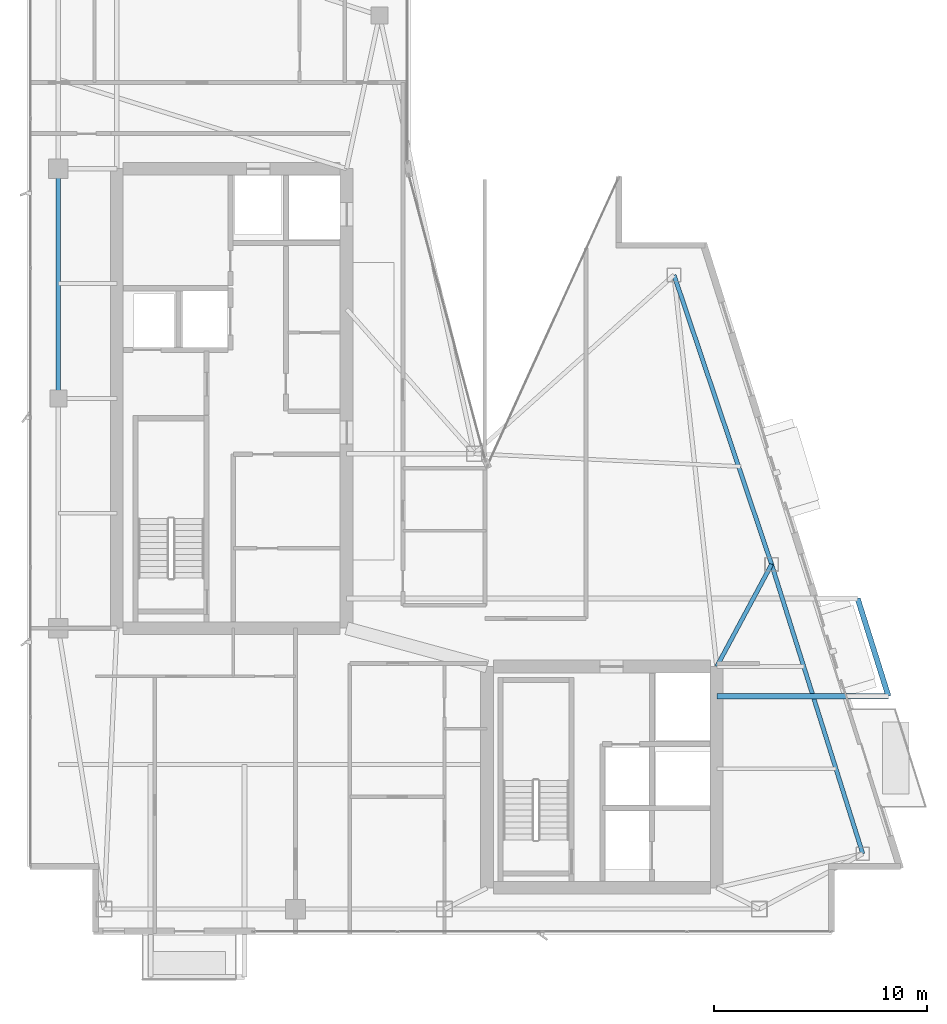
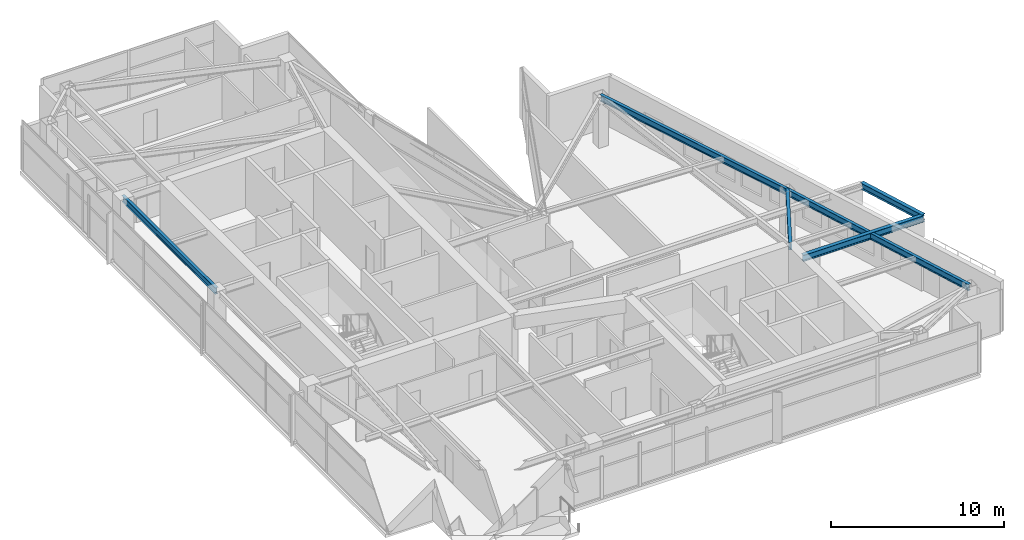
# One storey, part 15 of 27: 6 beams.
"""IFC4 building model written with IfcOpenShell, lengths in metres."""

from ifc_helpers import new_model, si_unit, direction, frame, origin, origin_2d, place, context, subcontext, project, spatial, i_section, extrude, material, material_profile, profile_set, type_object, element, save


model = new_model("IFC4")

# Units and contexts
model_context = context("Model", 3, precision=1e-05, world=origin(), true_north=direction((0.0, 1.0)))
body_context = subcontext(model_context, "Body", "Model", "MODEL_VIEW")
ifc_project = project(units=[si_unit("LENGTHUNIT", "METRE"), si_unit("AREAUNIT", "SQUARE_METRE"), si_unit("VOLUMEUNIT", "CUBIC_METRE"), si_unit("PLANEANGLEUNIT", "RADIAN"), si_unit("MASSUNIT", "GRAM", prefix="KILO")], contexts=[model_context])

# Site, building, storey
site_placement = place(None, origin())
site = spatial("IfcSite", under=ifc_project, at=site_placement, CompositionType="ELEMENT")
building_placement = place(site_placement, origin())
building = spatial("IfcBuilding", under=site, at=building_placement, Name="Calvorn Quay Hotel", CompositionType="ELEMENT")
storey_placement = place(building_placement, frame((0.0, 0.0, 291.10009765625)))
storey = spatial("IfcBuildingStorey", under=building, at=storey_placement, Name="L72", CompositionType="ELEMENT", Elevation=291.10009765625)

# Beams
ifc_material_1 = material(Name="Steel Q355B", Category="steel")
ifc_material_profile_1 = material_profile(ifc_material_1, i_section(OverallWidth=0.25, OverallDepth=0.449951171875, WebThickness=0.011962890625, FlangeThickness=0.01611328125, FilletRadius=0.01611328125, at=origin_2d()), Name="HN450x250x12x16")
ifc_profile_set_1 = profile_set([ifc_material_profile_1], Name="Steel Q355B")
beam_type_1 = type_object("IfcBeamType", Name="BM-CANT-BALC", PredefinedType="BEAM", material=ifc_profile_set_1)
beam_1_placement = place(storey_placement, frame((32.39990234375, 13.60009765625, 3.31494140625), z_axis=(1.0, 0.0, 0.0), x_axis=(0.0, 1.0, 0.0)))
element("IfcBeam", 1, at=beam_1_placement, inside=storey, type_object=beam_type_1, Name="Cantilever Balcony Beam BCB-L73-1A", PredefinedType="BEAM", context=body_context, shape_type="SweptSolid", body=[
    extrude(i_section(OverallWidth=0.25, OverallDepth=0.449951171875, WebThickness=0.011962890625, FlangeThickness=0.01611328125, FilletRadius=0.01611328125, at=origin_2d()), origin(), (0.0, 0.0, 1.0), 8.069091796875),
])
beam_2_placement = place(storey_placement, frame((40.468994140625, 13.60009765625, 3.31494140625), z_axis=(-0.300450487966, 0.953797412599, 0.0), x_axis=(-0.953797412599, -0.300450487966, 0.0)))
element("IfcBeam", 2, at=beam_2_placement, inside=storey, type_object=beam_type_1, Name="Beam BCBO-L73-1", PredefinedType="BEAM", context=body_context, shape_type="SweptSolid", body=[
    extrude(i_section(OverallWidth=0.25, OverallDepth=0.449951171875, WebThickness=0.011962890625, FlangeThickness=0.01611328125, FilletRadius=0.01611328125, at=origin_2d()), origin(), (0.0, 0.0, 1.0), 4.82275390625),
])
ifc_material_2 = material(Name="Steel Q355B", Category="steel")
ifc_material_profile_2 = material_profile(ifc_material_2, i_section(OverallWidth=0.199951171875, OverallDepth=0.550048828125, WebThickness=0.010009765625, FlangeThickness=0.01611328125, FilletRadius=0.01806640625, at=origin_2d()), Name="HN550x200x10x16")
ifc_profile_set_2 = profile_set([ifc_material_profile_2], Name="Steel Q355B")
beam_type_2 = type_object("IfcBeamType", Name="BM-GIRD-UPP", PredefinedType="BEAM", material=ifc_profile_set_2)
beam_3_placement = place(storey_placement, frame((32.39990234375, 15.0, 3.264892578125), z_axis=(0.472894086188, 0.881119278672, 0.0), x_axis=(-0.881119278672, 0.472894086188, 0.0)))
element("IfcBeam", 3, at=beam_3_placement, inside=storey, type_object=beam_type_2, Name="Beam BG-L72-E2", PredefinedType="BEAM", context=body_context, shape_type="SweptSolid", body=[
    extrude(i_section(OverallWidth=0.199951171875, OverallDepth=0.550048828125, WebThickness=0.010009765625, FlangeThickness=0.01611328125, FilletRadius=0.01806640625, at=origin_2d()), origin(), (0.0, 0.0, 1.0), 5.44775390625),
])
ifc_material_3 = material(Name="Steel Q355B", Category="steel")
ifc_material_profile_3 = material_profile(ifc_material_3, i_section(OverallWidth=0.199951171875, OverallDepth=0.449951171875, WebThickness=0.009033203125, FlangeThickness=0.013916015625, FilletRadius=0.01611328125, at=origin_2d()), Name="HN450x200x9x14")
ifc_profile_set_3 = profile_set([ifc_material_profile_3], Name="Steel Q355B")
beam_type_3 = type_object("IfcBeamType", Name="BM-SPANDREL-Z3", PredefinedType="SPANDREL", material=ifc_profile_set_3)
beam_4_placement = place(storey_placement, frame((1.449951171875, 27.60009765625, 3.31494140625), z_axis=(0.0, 1.0, 0.0), x_axis=(-1.0, 0.0, 0.0)))
element("IfcBeam", 4, at=beam_4_placement, inside=storey, type_object=beam_type_3, Name="Beam BSP-L72-W3", PredefinedType="SPANDREL", context=body_context, shape_type="SweptSolid", body=[
    extrude(i_section(OverallWidth=0.199951171875, OverallDepth=0.449951171875, WebThickness=0.009033203125, FlangeThickness=0.013916015625, FilletRadius=0.01611328125, at=origin_2d()), origin(), (0.0, 0.0, 1.0), 10.7998046875),
])
beam_5_placement = place(storey_placement, frame((39.260986328125, 6.199951171875, 3.31494140625), z_axis=(-0.300502802767, 0.953780931624, 0.0), x_axis=(-0.953780931624, -0.300502802767, 0.0)))
element("IfcBeam", 5, at=beam_5_placement, inside=storey, type_object=beam_type_3, Name="Beam BSP-L72-E1", PredefinedType="SPANDREL", context=body_context, shape_type="SweptSolid", body=[
    extrude(i_section(OverallWidth=0.199951171875, OverallDepth=0.449951171875, WebThickness=0.009033203125, FlangeThickness=0.013916015625, FilletRadius=0.01611328125, at=origin_2d()), origin(), (0.0, 0.0, 1.0), 14.259033203125),
])
beam_6_placement = place(storey_placement, frame((34.97607421875, 19.800048828125, 3.31494140625), z_axis=(-0.319466515944, 0.947597564998, 0.0), x_axis=(-0.947597564998, -0.319466515944, 0.0)))
element("IfcBeam", 6, at=beam_6_placement, inside=storey, type_object=beam_type_3, Name="Beam BSP-L72-E2", PredefinedType="SPANDREL", context=body_context, shape_type="SweptSolid", body=[
    extrude(i_section(OverallWidth=0.199951171875, OverallDepth=0.449951171875, WebThickness=0.009033203125, FlangeThickness=0.013916015625, FilletRadius=0.01611328125, at=origin_2d()), origin(), (0.0, 0.0, 1.0), 14.35205078125),
])

save(model, "model.ifc")
